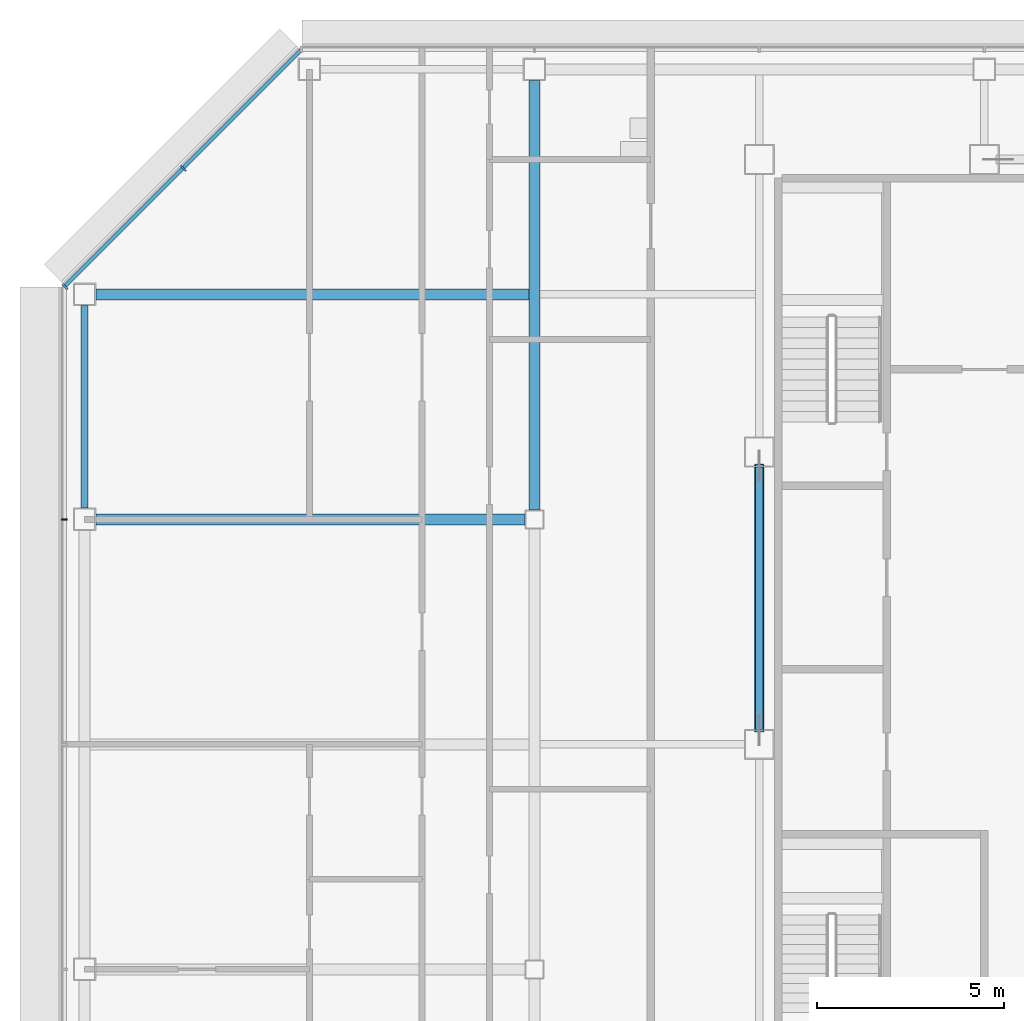
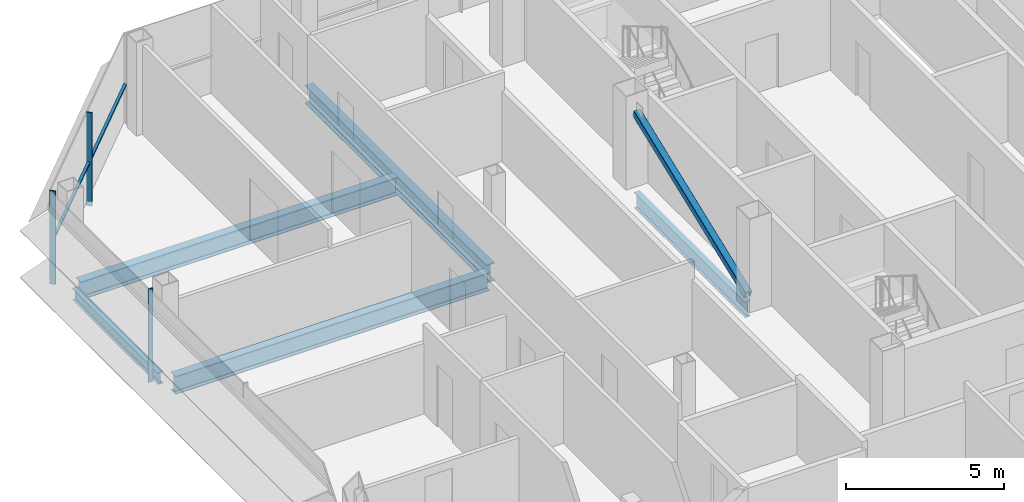
# One storey, part 13 of 30: 5 beams, 5 members, 2 elements without a shape of their own.
"""IFC4 building model written with IfcOpenShell, lengths in metres."""

from ifc_helpers import new_model, si_unit, direction, frame, origin, origin_2d, place, context, subcontext, project, spatial, rectangle, hollow_rectangle, i_section, extrude, material, material_profile, profile_set, type_object, element, aggregate, save


model = new_model("IFC4")

# Units and contexts
model_context = context("Model", 3, precision=1e-05, world=origin(), true_north=direction((0.0, 1.0)))
body_context = subcontext(model_context, "Body", "Model", "MODEL_VIEW")
ifc_project = project(units=[si_unit("LENGTHUNIT", "METRE"), si_unit("AREAUNIT", "SQUARE_METRE"), si_unit("VOLUMEUNIT", "CUBIC_METRE"), si_unit("PLANEANGLEUNIT", "RADIAN"), si_unit("MASSUNIT", "GRAM", prefix="KILO")], contexts=[model_context])

# Site, building, storey
site_placement = place(None, origin())
site = spatial("IfcSite", under=ifc_project, at=site_placement, CompositionType="ELEMENT")
building_placement = place(site_placement, origin())
building = spatial("IfcBuilding", under=site, at=building_placement, Name="Sorahane Residences", CompositionType="ELEMENT")
storey_placement = place(building_placement, frame((0.0, 0.0, 263.0)))
storey = spatial("IfcBuildingStorey", under=building, at=storey_placement, Name="L62", CompositionType="ELEMENT", Elevation=263.0)

# Member
ifc_material_1 = material(Name="Steel Q355B", Category="steel")
ifc_material_profile_1 = material_profile(ifc_material_1, hollow_rectangle(XDim=0.25, YDim=0.25, WallThickness=0.013916015625, InnerFilletRadius=0.007080078125, OuterFilletRadius=0.02099609375, at=origin_2d()), Name="RHS 250x250x14")
ifc_profile_set_1 = profile_set([ifc_material_profile_1], Name="Steel Q355B")
member_type_1 = type_object("IfcMemberType", Name="Core brace RHS 250x250x14 Q355B", PredefinedType="BRACE", material=ifc_profile_set_1)
member_1_placement = place(storey_placement, frame((6.0, 30.372802734375, 0.114501953125), z_axis=(0.0, 0.932112994653, 0.362167592697), x_axis=(-1.0, 0.0, 0.0)))
element("IfcMember", 1, at=member_1_placement, inside=storey, type_object=member_type_1, Name="Core brace L62 x6-2", PredefinedType="BRACE", context=body_context, shape_type="SweptSolid", body=[
    extrude(hollow_rectangle(XDim=0.25, YDim=0.25, WallThickness=0.013916015625, InnerFilletRadius=0.007080078125, OuterFilletRadius=0.02099609375, at=origin_2d()), origin(), (0.0, 0.0, 1.0), 7.568115234375),
])

# Curtain wall, member
ifc_material_2 = material(Name="Dark low-e glass and black anodised aluminium", Category="aluminium")
curtain_wall_type_1 = type_object("IfcCurtainWallType", Name="Curtain wall CW-1 Typical unitised wall", PredefinedType="NOTDEFINED", material=ifc_material_2)
curtain_wall_1_placement = place(storey_placement, origin())
curtain_wall_1 = element("IfcCurtainWall", 2, at=curtain_wall_1_placement, inside=storey, type_object=curtain_wall_type_1, Name="CW-1 curtain wall L62 W2", PredefinedType="NOTDEFINED")
ifc_material_3 = material(Name="Black anodised aluminium", Category="aluminium")
ifc_material_profile_2 = material_profile(ifc_material_3, rectangle(XDim=0.159912109375, YDim=0.050048828125, at=origin_2d()), Name="Curtain wall mullion CW-1 black anodised aluminium 50x160")
ifc_profile_set_2 = profile_set([ifc_material_profile_2], Name="Black anodised aluminium")
member_type_2 = type_object("IfcMemberType", Name="Curtain wall mullion CW-1 black anodised aluminium 50x160", PredefinedType="MULLION", material=ifc_profile_set_2)
member_2_placement = place(storey_placement, frame((-12.5400390625, 36.0, -0.179931640625), z_axis=(0.0, 0.0, 1.0), x_axis=(-1.0, 0.0, 0.0)))
member_2 = element("IfcMember", 3, at=member_2_placement, type_object=member_type_2, Name="CW-1 mullion L62 W2.2", PredefinedType="MULLION", context=body_context, shape_type="SweptSolid", body=[
    extrude(rectangle(XDim=0.159912109375, YDim=0.050048828125, at=origin_2d()), origin(), (0.0, 0.0, 1.0), 3.599853515625),
])
aggregate(curtain_wall_1, [member_2])

# Curtain wall, members
ifc_material_4 = material(Name="Dark low-e glass and black anodised aluminium", Category="aluminium")
curtain_wall_type_2 = type_object("IfcCurtainWallType", Name="Curtain wall CW-2 Chamfer unitised wall", PredefinedType="NOTDEFINED", material=ifc_material_4)
curtain_wall_2_placement = place(storey_placement, origin())
curtain_wall_2 = element("IfcCurtainWall", 4, at=curtain_wall_2_placement, inside=storey, type_object=curtain_wall_type_2, Name="CW-2 curtain wall L62 NW1", PredefinedType="NOTDEFINED")
ifc_material_5 = material(Name="Black anodised aluminium", Category="aluminium")
ifc_material_profile_3 = material_profile(ifc_material_5, rectangle(XDim=0.199951171875, YDim=0.050048828125, at=origin_2d()), Name="Curtain wall mullion CW-2 black anodised aluminium 50x200")
ifc_profile_set_3 = profile_set([ifc_material_profile_3], Name="Black anodised aluminium")
member_type_3 = type_object("IfcMemberType", Name="Curtain wall mullion CW-2 black anodised aluminium 50x200", PredefinedType="MULLION", material=ifc_profile_set_3)
member_3_placement = place(storey_placement, frame((-9.36767578125, 45.36767578125, -0.179931640625), z_axis=(0.0, 0.0, 1.0), x_axis=(-0.707106781187, 0.707106781187, 0.0)))
member_3 = element("IfcMember", 5, at=member_3_placement, type_object=member_type_3, Name="CW-2 mullion L62 NW1.2", PredefinedType="MULLION", context=body_context, shape_type="SweptSolid", body=[
    extrude(rectangle(XDim=0.199951171875, YDim=0.050048828125, at=origin_2d()), origin(), (0.0, 0.0, 1.0), 3.599853515625),
])
member_4_placement = place(storey_placement, frame((-12.525634765625, 42.209716796875, -0.179931640625), z_axis=(0.0, 0.0, 1.0), x_axis=(-0.707106781187, 0.707106781187, 0.0)))
member_4 = element("IfcMember", 6, at=member_4_placement, type_object=member_type_3, Name="CW-2 mullion L62 NW1.3", PredefinedType="MULLION", context=body_context, shape_type="SweptSolid", body=[
    extrude(rectangle(XDim=0.199951171875, YDim=0.050048828125, at=origin_2d()), origin(), (0.0, 0.0, 1.0), 3.599853515625),
])
ifc_material_6 = material(Name="Black anodised aluminium", Category="aluminium")
ifc_material_profile_4 = material_profile(ifc_material_6, rectangle(XDim=0.10009765625, YDim=0.06005859375, at=origin_2d()), Name="Curtain wall transom CW-2 black anodised aluminium 60x100")
ifc_profile_set_4 = profile_set([ifc_material_profile_4], Name="Black anodised aluminium")
member_type_4 = type_object("IfcMemberType", Name="Curtain wall transom CW-2 black anodised aluminium 60x100", PredefinedType="USERDEFINED", material=ifc_profile_set_4)
member_5_placement = place(storey_placement, frame((-6.234375, 48.51513671875, 1.5), z_axis=(-0.707106781187, -0.707106781187, 0.0), x_axis=(0.707106781187, -0.707106781187, 0.0)))
member_5 = element("IfcMember", 7, at=member_5_placement, type_object=member_type_4, Name="CW-2 transom L62 NW1", ObjectType="TRANSOM", PredefinedType="USERDEFINED", context=body_context, shape_type="SweptSolid", body=[
    extrude(rectangle(XDim=0.10009765625, YDim=0.06005859375, at=origin_2d()), origin(), (0.0, 0.0, 1.0), 8.88232421875),
])
aggregate(curtain_wall_2, [member_3, member_4, member_5])

# Beams
ifc_material_7 = material(Name="Steel Q355B", Category="steel")
ifc_material_profile_5 = material_profile(ifc_material_7, i_section(OverallWidth=0.199951171875, OverallDepth=0.449951171875, WebThickness=0.009033203125, FlangeThickness=0.013916015625, FilletRadius=0.02001953125, at=origin_2d()), Name="HN 450x200x9x14")
ifc_profile_set_5 = profile_set([ifc_material_profile_5], Name="Steel Q355B")
beam_type_1 = type_object("IfcBeamType", Name="Steel floor beam HN 450x200x9x14 Q355B", PredefinedType="BEAM", material=ifc_profile_set_5)
beam_1_placement = place(storey_placement, frame((-12.0, 36.300048828125, -0.405029296875), z_axis=(0.0, 1.0, 0.0), x_axis=(-1.0, 0.0, 0.0)))
element("IfcBeam", 8, at=beam_1_placement, inside=storey, type_object=beam_type_1, Name="Beam L62 022", PredefinedType="BEAM", context=body_context, shape_type="SweptSolid", body=[
    extrude(i_section(OverallWidth=0.199951171875, OverallDepth=0.449951171875, WebThickness=0.009033203125, FlangeThickness=0.013916015625, FilletRadius=0.02001953125, at=origin_2d()), origin(), (0.0, 0.0, 1.0), 5.39990234375),
])
ifc_material_8 = material(Name="Steel Q355B", Category="steel")
ifc_material_profile_6 = material_profile(ifc_material_8, i_section(OverallWidth=0.199951171875, OverallDepth=0.60009765625, WebThickness=0.010986328125, FlangeThickness=0.01708984375, FilletRadius=0.02392578125, at=origin_2d()), Name="HN 600x200x11x17")
ifc_profile_set_6 = profile_set([ifc_material_profile_6], Name="Steel Q355B")
beam_type_2 = type_object("IfcBeamType", Name="Steel floor beam HN 600x200x11x17 Q355B", PredefinedType="BEAM", material=ifc_profile_set_6)
beam_2_placement = place(storey_placement, frame((6.0, 30.39990234375, -0.47998046875), z_axis=(0.0, 1.0, 0.0), x_axis=(-1.0, 0.0, 0.0)))
element("IfcBeam", 9, at=beam_2_placement, inside=storey, type_object=beam_type_2, Name="Beam L62 030", PredefinedType="BEAM", context=body_context, shape_type="SweptSolid", body=[
    extrude(i_section(OverallWidth=0.199951171875, OverallDepth=0.60009765625, WebThickness=0.010986328125, FlangeThickness=0.01708984375, FilletRadius=0.02392578125, at=origin_2d()), origin(), (0.0, 0.0, 1.0), 7.0),
])
ifc_material_9 = material(Name="Steel Q355B", Category="steel")
ifc_material_profile_7 = material_profile(ifc_material_9, i_section(OverallWidth=0.300048828125, OverallDepth=0.699951171875, WebThickness=0.012939453125, FlangeThickness=0.02392578125, FilletRadius=0.028076171875, at=origin_2d()), Name="HN 700x300x13x24")
ifc_profile_set_7 = profile_set([ifc_material_profile_7], Name="Steel Q355B")
beam_type_3 = type_object("IfcBeamType", Name="Steel floor beam HN 700x300x13x24 Q355B", PredefinedType="BEAM", material=ifc_profile_set_7)
for number, where, z_axis, x_axis, name in (
    (10, (-11.699951171875, 36.0, -0.530029296875), (1.0, 0.0, 0.0), (0.0, 1.0, 0.0), "Beam L62 012"),
    (11, (0.0, 36.25, -0.530029296875), (0.0, 1.0, 0.0), (-1.0, 0.0, 0.0), "Beam L62 026"),
):
    element("IfcBeam", number, at=place(storey_placement, frame(where, z_axis=z_axis, x_axis=x_axis)), inside=storey, type_object=beam_type_3, Name=name, PredefinedType="BEAM", context=body_context, shape_type="SweptSolid", body=[
        extrude(i_section(OverallWidth=0.300048828125, OverallDepth=0.699951171875, WebThickness=0.012939453125, FlangeThickness=0.02392578125, FilletRadius=0.028076171875, at=origin_2d()), origin(), (0.0, 0.0, 1.0), 11.449951171875),
    ])
beam_3_placement = place(storey_placement, frame((-11.699951171875, 42.0, -0.530029296875), z_axis=(1.0, 0.0, 0.0), x_axis=(0.0, 1.0, 0.0)))
element("IfcBeam", 12, at=beam_3_placement, inside=storey, type_object=beam_type_3, Name="Beam L62 084", PredefinedType="BEAM", context=body_context, shape_type="SweptSolid", body=[
    extrude(i_section(OverallWidth=0.300048828125, OverallDepth=0.699951171875, WebThickness=0.012939453125, FlangeThickness=0.02392578125, FilletRadius=0.028076171875, at=origin_2d()), origin(), (0.0, 0.0, 1.0), 11.550048828125),
])

save(model, "model.ifc")
